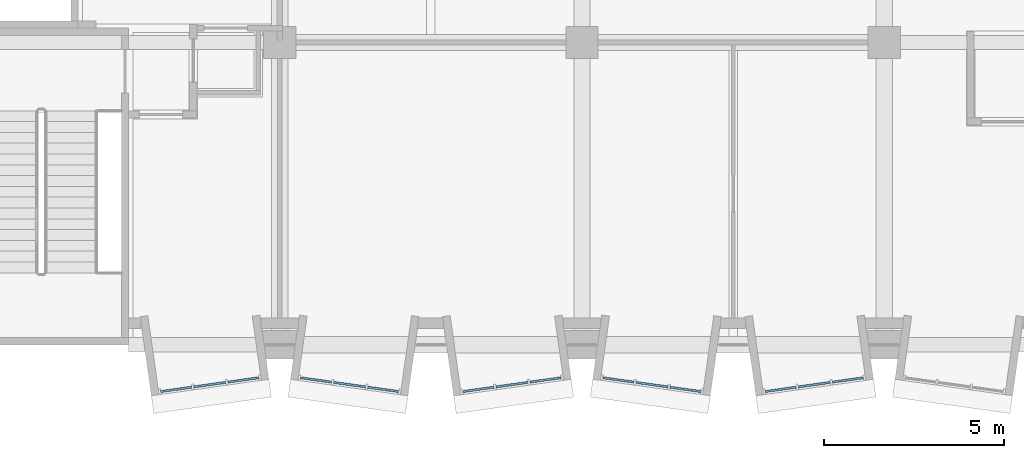
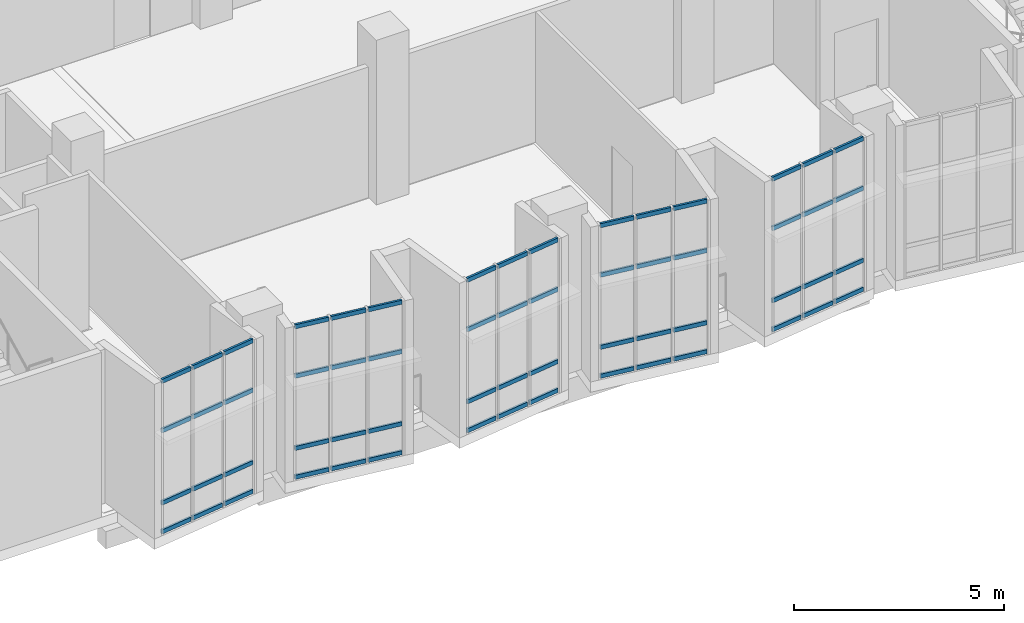
# One storey, part 15 of 91: 60 members, 5 elements without a shape of their own.
"""IFC4 building model written with IfcOpenShell, lengths in metres."""

import ifcopenshell
import ifcopenshell.guid

model = None  # the IFC model being written
_history = None  # IfcOwnerHistory: only IFC2X3 demands one
_inside = {}  # id of a spatial element -> (the spatial element, [elements in it])
_under = {}  # id of a project, library or spatial element -> (it, [spatial elements below it])
_declared = {}  # id of a project -> (the project, [libraries it declares])
_typed = {}  # id of a type object -> (the type object, [elements of that type])
_made_of = {}  # id of a material, layer set ... -> (it, [elements and type objects made of it])


def new_model(schema):
    """Start an empty IFC model of exactly this schema.

    Asked for "IFC4X3", IfcOpenShell would pick the latest addendum, in which some entities
    have other attributes; the version numbers below select the first issue.
    IFC2X3 requires an IfcOwnerHistory on every rooted entity: one is made here for all.
    """
    global model, _history
    if schema == "IFC4X3":
        model = ifcopenshell.file(schema_version=(4, 3, 0, 0))
    else:
        model = ifcopenshell.file(schema=schema)
    _inside.clear()
    _under.clear()
    _declared.clear()
    _typed.clear()
    _made_of.clear()
    _history = None
    if model.schema == "IFC2X3":
        org = make("IfcOrganization", Name="unknown")
        user = make(
            "IfcPersonAndOrganization",
            ThePerson=make("IfcPerson", FamilyName="unknown"),
            TheOrganization=org,
        )
        app = make(
            "IfcApplication",
            ApplicationDeveloper=org,
            Version="unknown",
            ApplicationFullName="unknown",
            ApplicationIdentifier="unknown",
        )
        _history = make(
            "IfcOwnerHistory",
            OwningUser=user,
            OwningApplication=app,
            ChangeAction="ADDED",
            CreationDate=0,
        )
    return model


def make(cls, **values):
    """One entity of the class cls with the attributes given. An attribute that is None is left unset."""
    return model.create_entity(
        cls, **{name: value for name, value in values.items() if value is not None}
    )


def rooted(cls, **values):
    """An entity with a GlobalId (a new one), such as an element, a storey or a relation."""
    return make(cls, GlobalId=ifcopenshell.guid.new(), OwnerHistory=_history, **values)


def si_unit(unit_type, name, prefix=None):
    """IfcSIUnit, for example si_unit("LENGTHUNIT", "METRE", prefix="MILLI")."""
    return make("IfcSIUnit", UnitType=unit_type, Prefix=prefix, Name=name)


def assignment(units):
    """IfcUnitAssignment: the units of a project."""
    return None if units is None else make("IfcUnitAssignment", Units=units)


def point(xyz):
    """IfcCartesianPoint."""
    return None if xyz is None else make("IfcCartesianPoint", Coordinates=xyz)


def direction(xyz):
    """IfcDirection."""
    return None if xyz is None else make("IfcDirection", DirectionRatios=xyz)


def frame(location, z_axis=None, x_axis=None):
    """IfcAxis2Placement3D, a coordinate frame: its origin and axes. An axis left out is left unset."""
    return make(
        "IfcAxis2Placement3D",
        Location=point(location),
        Axis=direction(z_axis),
        RefDirection=direction(x_axis),
    )


def frame_2d(location, x_axis=None):
    """IfcAxis2Placement2D, a coordinate frame in the plane: its origin and x axis."""
    return make(
        "IfcAxis2Placement2D", Location=point(location), RefDirection=direction(x_axis)
    )


def origin():
    """The frame at (0, 0, 0) with its axes left unset."""
    return frame((0.0, 0.0, 0.0))


def origin_2d():
    """The frame at (0, 0) in the plane with its x axis left unset."""
    return frame_2d((0.0, 0.0))


def place(relative_to, where):
    """IfcLocalPlacement: puts the frame where relative to a parent placement (None: the world)."""
    return make(
        "IfcLocalPlacement", PlacementRelTo=relative_to, RelativePlacement=where
    )


def context(
    kind, dimensions, precision=None, world=None, true_north=None, identifier=None
):
    """IfcGeometricRepresentationContext, for example the 3D "Model" context."""
    return make(
        "IfcGeometricRepresentationContext",
        ContextIdentifier=identifier,
        ContextType=kind,
        CoordinateSpaceDimension=dimensions,
        Precision=precision,
        WorldCoordinateSystem=world,
        TrueNorth=true_north,
    )


def subcontext(parent, identifier, kind, view, scale=None):
    """IfcGeometricRepresentationSubContext, for example "Body" below "Model"."""
    return make(
        "IfcGeometricRepresentationSubContext",
        ContextIdentifier=identifier,
        ContextType=kind,
        ParentContext=parent,
        TargetScale=scale,
        TargetView=view,
    )


def project(units=None, contexts=None):
    """IfcProject with its units and contexts."""
    return rooted(
        "IfcProject",
        Name="project",
        RepresentationContexts=contexts,
        UnitsInContext=assignment(units),
    )


def spatial(cls, under=None, at=None, **own):
    """A site, building, storey or space (cls), placed at a placement, below another one or the project."""
    s = rooted(cls, ObjectPlacement=at, **own)
    if under is not None:
        _under.setdefault(under.id(), (under, []))[1].append(s)
    return s


def profile(cls, at=None, kind="AREA", **sizes):
    """A parametric profile (cls). Its sizes go by their IFC names, for example OverallWidth=200.0."""
    return make(cls, ProfileType=kind, Position=at, **sizes)


def rectangle(**sizes):
    """IfcRectangleProfileDef."""
    return profile("IfcRectangleProfileDef", **sizes)


def extrude(swept, where, along, depth):
    """IfcExtrudedAreaSolid: the profile swept, set in the frame where, extruded along a direction by depth."""
    return make(
        "IfcExtrudedAreaSolid",
        SweptArea=swept,
        Position=where,
        ExtrudedDirection=direction(along),
        Depth=depth,
    )


def shape(context_of_items, identifier, shape_type, items):
    """IfcShapeRepresentation: the items that make up one representation, for example the "Body"."""
    return make(
        "IfcShapeRepresentation",
        ContextOfItems=context_of_items,
        RepresentationIdentifier=identifier,
        RepresentationType=shape_type,
        Items=items,
    )


def material(Name=None, Category=None):
    """IfcMaterial."""
    return make("IfcMaterial", Name=Name, Category=Category)


def layer(
    of_material, thickness, ventilated=None, Name=None, Category=None, Priority=None
):
    """IfcMaterialLayer: one layer of a wall or slab, of a material (None: an air gap)."""
    return make(
        "IfcMaterialLayer",
        Material=of_material,
        LayerThickness=thickness,
        IsVentilated=ventilated,
        Name=Name,
        Category=Category,
        Priority=Priority,
    )


def layer_set(layers, Name=None):
    """IfcMaterialLayerSet."""
    return make("IfcMaterialLayerSet", MaterialLayers=layers, LayerSetName=Name)


def material_profile(
    of_material, cross_section, Name=None, Category=None, Priority=None
):
    """IfcMaterialProfile: a cross section and its material."""
    return make(
        "IfcMaterialProfile",
        Name=Name,
        Material=of_material,
        Profile=cross_section,
        Priority=Priority,
        Category=Category,
    )


def profile_set(profiles, Name=None, composite=None):
    """IfcMaterialProfileSet."""
    return make(
        "IfcMaterialProfileSet",
        Name=Name,
        MaterialProfiles=profiles,
        CompositeProfile=composite,
    )


def made_of(thing, what):
    """Note that an element or type object is made of a material, layer set ...; save() writes the relation."""
    if what is not None:
        _made_of.setdefault(what.id(), (what, []))[1].append(thing)
    return thing


def type_object(cls, material=None, **own):
    """A type object (cls), such as IfcWallType, which elements share."""
    return made_of(rooted(cls, **own), material)


def element(
    cls,
    number,
    at=None,
    inside=None,
    cuts=None,
    type_object=None,
    material=None,
    context=None,
    identifier="Body",
    shape_type=None,
    held_by="IfcProductDefinitionShape",
    body=None,
    shapes=None,
    **own,
):
    """One element of the class cls, such as IfcWall. Its Tag is "e" and its number.

    at: its placement. inside: the storey or other place that contains it. cuts: it is an
    opening in that element (IfcRelVoidsElement). A single representation is given by context,
    identifier, shape_type and body (its items); several are given by shapes. held_by: the class
    of the entity that holds the representations. save() writes the other relations.
    """
    e = rooted(cls, Tag="e%d" % number, ObjectPlacement=at, **own)
    if body is not None:
        shapes = [shape(context, identifier, shape_type, body)]
    if shapes is not None:
        e.Representation = make(held_by, Representations=shapes)
    if inside is not None:
        _inside.setdefault(inside.id(), (inside, []))[1].append(e)
    if cuts is not None:
        rooted(
            "IfcRelVoidsElement", RelatingBuildingElement=cuts, RelatedOpeningElement=e
        )
    if type_object is not None:
        _typed.setdefault(type_object.id(), (type_object, []))[1].append(e)
    return made_of(e, material)


def aggregate(whole, parts):
    """IfcRelAggregates: a whole, such as a stair, and the parts it consists of."""
    return rooted("IfcRelAggregates", RelatingObject=whole, RelatedObjects=parts)


def save(model, path):
    """Write the relations noted so far, then the file.

    IfcRelAggregates (storeys below a building ...), IfcRelContainedInSpatialStructure (elements
    in a storey), IfcRelDefinesByType, IfcRelAssociatesMaterial and IfcRelDeclares: one each for
    every whole, place, type object, material and project.
    """
    for whole, parts in _under.values():
        aggregate(whole, parts)
    for where, things in _inside.values():
        rooted(
            "IfcRelContainedInSpatialStructure",
            RelatedElements=things,
            RelatingStructure=where,
        )
    for kind, things in _typed.values():
        rooted("IfcRelDefinesByType", RelatedObjects=things, RelatingType=kind)
    for what, things in _made_of.values():
        rooted("IfcRelAssociatesMaterial", RelatedObjects=things, RelatingMaterial=what)
    for by, libraries in _declared.values():
        rooted("IfcRelDeclares", RelatingContext=by, RelatedDefinitions=libraries)
    model.write(path)


model = new_model("IFC4")

# Units and contexts
model_context = context("Model", 3, precision=1e-05, world=origin(), true_north=direction((0.0, 1.0)))
body_context = subcontext(model_context, "Body", "Model", "MODEL_VIEW")
ifc_project = project(units=[si_unit("LENGTHUNIT", "METRE"), si_unit("AREAUNIT", "SQUARE_METRE"), si_unit("VOLUMEUNIT", "CUBIC_METRE"), si_unit("PLANEANGLEUNIT", "RADIAN"), si_unit("MASSUNIT", "GRAM", prefix="KILO")], contexts=[model_context])

# Site, building, storey
site_placement = place(None, origin())
site = spatial("IfcSite", under=ifc_project, at=site_placement, CompositionType="ELEMENT")
building_placement = place(site_placement, origin())
building = spatial("IfcBuilding", under=site, at=building_placement, Name="Kiln Court Media Centre", CompositionType="ELEMENT")
storey_placement = place(building_placement, frame((0.0, 0.0, 5.39990234375)))
storey = spatial("IfcBuildingStorey", under=building, at=storey_placement, Name="L01", CompositionType="ELEMENT", Elevation=5.39990234375)

# Curtain wall, members
ifc_material_1 = material(Name="Aluminium 6063-T6", Category="aluminium")
ifc_layer = layer(ifc_material_1, 0.1201171875)
ifc_layer_set = layer_set([ifc_layer], Name="Aluminium unitised bay curtain wall")
curtain_wall_type = type_object("IfcCurtainWallType", Name="Aluminium unitised bay curtain wall", PredefinedType="USERDEFINED", material=ifc_layer_set)
curtain_wall_1_placement = place(storey_placement, origin())
curtain_wall_1 = element("IfcCurtainWall", 1, at=curtain_wall_1_placement, inside=storey, type_object=curtain_wall_type, Name="BAY V6A-S-L01-02 front", ObjectType="UNITISED CURTAIN WALL", PredefinedType="USERDEFINED")
ifc_material_2 = material(Name="Aluminium 6063-T6", Category="aluminium")
ifc_material_profile = material_profile(ifc_material_2, rectangle(XDim=0.06005859375, YDim=0.1201171875, at=origin_2d()), Name="Aluminium transom 60x120")
ifc_profile_set = profile_set([ifc_material_profile], Name="Aluminium 6063-T6")
member_type = type_object("IfcMemberType", Name="Aluminium transom 60x120", PredefinedType="USERDEFINED", material=ifc_profile_set)
member_1_placement = place(storey_placement, frame((5.09423828125, -1.300537109375, 0.06005859375), z_axis=(0.990268108888, 0.139172815303, 0.0), x_axis=(-0.139172815303, 0.990268108888, 0.0)))
member_1 = element("IfcMember", 2, at=member_1_placement, type_object=member_type, Name="CW1-10 transom 1.1", ObjectType="TRANSOM", PredefinedType="USERDEFINED", context=body_context, shape_type="SweptSolid", body=[
    extrude(rectangle(XDim=0.06005859375, YDim=0.1201171875, at=origin_2d()), origin(), (0.0, 0.0, 1.0), 0.86669921875),
])
member_2_placement = place(storey_placement, frame((5.09423828125, -1.300537109375, 0.900146484375), z_axis=(0.990268108888, 0.139172815303, 0.0), x_axis=(-0.139172815303, 0.990268108888, 0.0)))
member_2 = element("IfcMember", 3, at=member_2_placement, type_object=member_type, Name="CW1-10 transom 1.2", ObjectType="TRANSOM", PredefinedType="USERDEFINED", context=body_context, shape_type="SweptSolid", body=[
    extrude(rectangle(XDim=0.06005859375, YDim=0.1201171875, at=origin_2d()), origin(), (0.0, 0.0, 1.0), 0.86669921875),
])
member_3_placement = place(storey_placement, frame((5.09423828125, -1.300537109375, 3.0), z_axis=(0.990268108888, 0.139172815303, 0.0), x_axis=(-0.139172815303, 0.990268108888, 0.0)))
member_3 = element("IfcMember", 4, at=member_3_placement, type_object=member_type, Name="CW1-10 transom 1.3", ObjectType="TRANSOM", PredefinedType="USERDEFINED", context=body_context, shape_type="SweptSolid", body=[
    extrude(rectangle(XDim=0.06005859375, YDim=0.1201171875, at=origin_2d()), origin(), (0.0, 0.0, 1.0), 0.86669921875),
])
member_4_placement = place(storey_placement, frame((5.09423828125, -1.300537109375, 4.440185546875), z_axis=(0.990268108888, 0.139172815303, 0.0), x_axis=(-0.139172815303, 0.990268108888, 0.0)))
member_4 = element("IfcMember", 5, at=member_4_placement, type_object=member_type, Name="CW1-10 transom 1.4", ObjectType="TRANSOM", PredefinedType="USERDEFINED", context=body_context, shape_type="SweptSolid", body=[
    extrude(rectangle(XDim=0.06005859375, YDim=0.1201171875, at=origin_2d()), origin(), (0.0, 0.0, 1.0), 0.86669921875),
])
member_5_placement = place(storey_placement, frame((6.011962890625, -1.17138671875, 0.06005859375), z_axis=(0.990273584723, 0.13913384707, 0.0), x_axis=(-0.13913384707, 0.990273584723, 0.0)))
member_5 = element("IfcMember", 6, at=member_5_placement, type_object=member_type, Name="CW1-10 transom 2.1", ObjectType="TRANSOM", PredefinedType="USERDEFINED", context=body_context, shape_type="SweptSolid", body=[
    extrude(rectangle(XDim=0.06005859375, YDim=0.1201171875, at=origin_2d()), origin(), (0.0, 0.0, 1.0), 0.896728515625),
])
member_6_placement = place(storey_placement, frame((6.011962890625, -1.17138671875, 0.900146484375), z_axis=(0.990273584723, 0.13913384707, 0.0), x_axis=(-0.13913384707, 0.990273584723, 0.0)))
member_6 = element("IfcMember", 7, at=member_6_placement, type_object=member_type, Name="CW1-10 transom 2.2", ObjectType="TRANSOM", PredefinedType="USERDEFINED", context=body_context, shape_type="SweptSolid", body=[
    extrude(rectangle(XDim=0.06005859375, YDim=0.1201171875, at=origin_2d()), origin(), (0.0, 0.0, 1.0), 0.896728515625),
])
member_7_placement = place(storey_placement, frame((6.011962890625, -1.17138671875, 3.0), z_axis=(0.990273584723, 0.13913384707, 0.0), x_axis=(-0.13913384707, 0.990273584723, 0.0)))
member_7 = element("IfcMember", 8, at=member_7_placement, type_object=member_type, Name="CW1-10 transom 2.3", ObjectType="TRANSOM", PredefinedType="USERDEFINED", context=body_context, shape_type="SweptSolid", body=[
    extrude(rectangle(XDim=0.06005859375, YDim=0.1201171875, at=origin_2d()), origin(), (0.0, 0.0, 1.0), 0.896728515625),
])
member_8_placement = place(storey_placement, frame((6.011962890625, -1.17138671875, 4.440185546875), z_axis=(0.990273584723, 0.13913384707, 0.0), x_axis=(-0.13913384707, 0.990273584723, 0.0)))
member_8 = element("IfcMember", 9, at=member_8_placement, type_object=member_type, Name="CW1-10 transom 2.4", ObjectType="TRANSOM", PredefinedType="USERDEFINED", context=body_context, shape_type="SweptSolid", body=[
    extrude(rectangle(XDim=0.06005859375, YDim=0.1201171875, at=origin_2d()), origin(), (0.0, 0.0, 1.0), 0.896728515625),
])
member_9_placement = place(storey_placement, frame((6.959228515625, -1.038330078125, 0.06005859375), z_axis=(0.990268108888, 0.139172815303, 0.0), x_axis=(-0.139172815303, 0.990268108888, 0.0)))
member_9 = element("IfcMember", 10, at=member_9_placement, type_object=member_type, Name="CW1-10 transom 3.1", ObjectType="TRANSOM", PredefinedType="USERDEFINED", context=body_context, shape_type="SweptSolid", body=[
    extrude(rectangle(XDim=0.06005859375, YDim=0.1201171875, at=origin_2d()), origin(), (0.0, 0.0, 1.0), 0.86669921875),
])
member_10_placement = place(storey_placement, frame((6.959228515625, -1.038330078125, 0.900146484375), z_axis=(0.990268108888, 0.139172815303, 0.0), x_axis=(-0.139172815303, 0.990268108888, 0.0)))
member_10 = element("IfcMember", 11, at=member_10_placement, type_object=member_type, Name="CW1-10 transom 3.2", ObjectType="TRANSOM", PredefinedType="USERDEFINED", context=body_context, shape_type="SweptSolid", body=[
    extrude(rectangle(XDim=0.06005859375, YDim=0.1201171875, at=origin_2d()), origin(), (0.0, 0.0, 1.0), 0.86669921875),
])
member_11_placement = place(storey_placement, frame((6.959228515625, -1.038330078125, 3.0), z_axis=(0.990268108888, 0.139172815303, 0.0), x_axis=(-0.139172815303, 0.990268108888, 0.0)))
member_11 = element("IfcMember", 12, at=member_11_placement, type_object=member_type, Name="CW1-10 transom 3.3", ObjectType="TRANSOM", PredefinedType="USERDEFINED", context=body_context, shape_type="SweptSolid", body=[
    extrude(rectangle(XDim=0.06005859375, YDim=0.1201171875, at=origin_2d()), origin(), (0.0, 0.0, 1.0), 0.86669921875),
])
member_12_placement = place(storey_placement, frame((6.959228515625, -1.038330078125, 4.440185546875), z_axis=(0.990268108888, 0.139172815303, 0.0), x_axis=(-0.139172815303, 0.990268108888, 0.0)))
member_12 = element("IfcMember", 13, at=member_12_placement, type_object=member_type, Name="CW1-10 transom 3.4", ObjectType="TRANSOM", PredefinedType="USERDEFINED", context=body_context, shape_type="SweptSolid", body=[
    extrude(rectangle(XDim=0.06005859375, YDim=0.1201171875, at=origin_2d()), origin(), (0.0, 0.0, 1.0), 0.86669921875),
])
aggregate(curtain_wall_1, [member_1, member_2, member_3, member_4, member_5, member_6, member_7, member_8, member_9, member_10, member_11, member_12])

curtain_wall_2_placement = place(storey_placement, origin())
curtain_wall_2 = element("IfcCurtainWall", 14, at=curtain_wall_2_placement, inside=storey, type_object=curtain_wall_type, Name="BAY V6A-S-L01-03 front", ObjectType="UNITISED CURTAIN WALL", PredefinedType="USERDEFINED")
member_13_placement = place(storey_placement, frame((8.982421875, -0.917724609375, 0.06005859375), z_axis=(0.990273563383, -0.139133998951, 0.0), x_axis=(0.139133998951, 0.990273563383, 0.0)))
member_13 = element("IfcMember", 15, at=member_13_placement, type_object=member_type, Name="CW1-11 transom 1.1", ObjectType="TRANSOM", PredefinedType="USERDEFINED", context=body_context, shape_type="SweptSolid", body=[
    extrude(rectangle(XDim=0.06005859375, YDim=0.1201171875, at=origin_2d()), origin(), (0.0, 0.0, 1.0), 0.866943359375),
])
member_14_placement = place(storey_placement, frame((8.982421875, -0.917724609375, 0.900146484375), z_axis=(0.990273563383, -0.139133998951, 0.0), x_axis=(0.139133998951, 0.990273563383, 0.0)))
member_14 = element("IfcMember", 16, at=member_14_placement, type_object=member_type, Name="CW1-11 transom 1.2", ObjectType="TRANSOM", PredefinedType="USERDEFINED", context=body_context, shape_type="SweptSolid", body=[
    extrude(rectangle(XDim=0.06005859375, YDim=0.1201171875, at=origin_2d()), origin(), (0.0, 0.0, 1.0), 0.866943359375),
])
member_15_placement = place(storey_placement, frame((8.982421875, -0.917724609375, 3.0), z_axis=(0.990273563383, -0.139133998951, 0.0), x_axis=(0.139133998951, 0.990273563383, 0.0)))
member_15 = element("IfcMember", 17, at=member_15_placement, type_object=member_type, Name="CW1-11 transom 1.3", ObjectType="TRANSOM", PredefinedType="USERDEFINED", context=body_context, shape_type="SweptSolid", body=[
    extrude(rectangle(XDim=0.06005859375, YDim=0.1201171875, at=origin_2d()), origin(), (0.0, 0.0, 1.0), 0.866943359375),
])
member_16_placement = place(storey_placement, frame((8.982421875, -0.917724609375, 4.440185546875), z_axis=(0.990273563383, -0.139133998951, 0.0), x_axis=(0.139133998951, 0.990273563383, 0.0)))
member_16 = element("IfcMember", 18, at=member_16_placement, type_object=member_type, Name="CW1-11 transom 1.4", ObjectType="TRANSOM", PredefinedType="USERDEFINED", context=body_context, shape_type="SweptSolid", body=[
    extrude(rectangle(XDim=0.06005859375, YDim=0.1201171875, at=origin_2d()), origin(), (0.0, 0.0, 1.0), 0.866943359375),
])
member_17_placement = place(storey_placement, frame((9.900146484375, -1.046630859375, 0.06005859375), z_axis=(0.990273584723, -0.13913384707, 0.0), x_axis=(0.13913384707, 0.990273584723, 0.0)))
member_17 = element("IfcMember", 19, at=member_17_placement, type_object=member_type, Name="CW1-11 transom 2.1", ObjectType="TRANSOM", PredefinedType="USERDEFINED", context=body_context, shape_type="SweptSolid", body=[
    extrude(rectangle(XDim=0.06005859375, YDim=0.1201171875, at=origin_2d()), origin(), (0.0, 0.0, 1.0), 0.896728515625),
])
member_18_placement = place(storey_placement, frame((9.900146484375, -1.046630859375, 0.900146484375), z_axis=(0.990273584723, -0.13913384707, 0.0), x_axis=(0.13913384707, 0.990273584723, 0.0)))
member_18 = element("IfcMember", 20, at=member_18_placement, type_object=member_type, Name="CW1-11 transom 2.2", ObjectType="TRANSOM", PredefinedType="USERDEFINED", context=body_context, shape_type="SweptSolid", body=[
    extrude(rectangle(XDim=0.06005859375, YDim=0.1201171875, at=origin_2d()), origin(), (0.0, 0.0, 1.0), 0.896728515625),
])
member_19_placement = place(storey_placement, frame((9.900146484375, -1.046630859375, 3.0), z_axis=(0.990273584723, -0.13913384707, 0.0), x_axis=(0.13913384707, 0.990273584723, 0.0)))
member_19 = element("IfcMember", 21, at=member_19_placement, type_object=member_type, Name="CW1-11 transom 2.3", ObjectType="TRANSOM", PredefinedType="USERDEFINED", context=body_context, shape_type="SweptSolid", body=[
    extrude(rectangle(XDim=0.06005859375, YDim=0.1201171875, at=origin_2d()), origin(), (0.0, 0.0, 1.0), 0.896728515625),
])
member_20_placement = place(storey_placement, frame((9.900146484375, -1.046630859375, 4.440185546875), z_axis=(0.990273584723, -0.13913384707, 0.0), x_axis=(0.13913384707, 0.990273584723, 0.0)))
member_20 = element("IfcMember", 22, at=member_20_placement, type_object=member_type, Name="CW1-11 transom 2.4", ObjectType="TRANSOM", PredefinedType="USERDEFINED", context=body_context, shape_type="SweptSolid", body=[
    extrude(rectangle(XDim=0.06005859375, YDim=0.1201171875, at=origin_2d()), origin(), (0.0, 0.0, 1.0), 0.896728515625),
])
member_21_placement = place(storey_placement, frame((10.84765625, -1.179931640625, 0.06005859375), z_axis=(0.990268108888, -0.139172815303, 0.0), x_axis=(0.139172815303, 0.990268108888, 0.0)))
member_21 = element("IfcMember", 23, at=member_21_placement, type_object=member_type, Name="CW1-11 transom 3.1", ObjectType="TRANSOM", PredefinedType="USERDEFINED", context=body_context, shape_type="SweptSolid", body=[
    extrude(rectangle(XDim=0.06005859375, YDim=0.1201171875, at=origin_2d()), origin(), (0.0, 0.0, 1.0), 0.86669921875),
])
member_22_placement = place(storey_placement, frame((10.84765625, -1.179931640625, 0.900146484375), z_axis=(0.990268108888, -0.139172815303, 0.0), x_axis=(0.139172815303, 0.990268108888, 0.0)))
member_22 = element("IfcMember", 24, at=member_22_placement, type_object=member_type, Name="CW1-11 transom 3.2", ObjectType="TRANSOM", PredefinedType="USERDEFINED", context=body_context, shape_type="SweptSolid", body=[
    extrude(rectangle(XDim=0.06005859375, YDim=0.1201171875, at=origin_2d()), origin(), (0.0, 0.0, 1.0), 0.86669921875),
])
member_23_placement = place(storey_placement, frame((10.84765625, -1.179931640625, 3.0), z_axis=(0.990268108888, -0.139172815303, 0.0), x_axis=(0.139172815303, 0.990268108888, 0.0)))
member_23 = element("IfcMember", 25, at=member_23_placement, type_object=member_type, Name="CW1-11 transom 3.3", ObjectType="TRANSOM", PredefinedType="USERDEFINED", context=body_context, shape_type="SweptSolid", body=[
    extrude(rectangle(XDim=0.06005859375, YDim=0.1201171875, at=origin_2d()), origin(), (0.0, 0.0, 1.0), 0.86669921875),
])
member_24_placement = place(storey_placement, frame((10.84765625, -1.179931640625, 4.440185546875), z_axis=(0.990268108888, -0.139172815303, 0.0), x_axis=(0.139172815303, 0.990268108888, 0.0)))
member_24 = element("IfcMember", 26, at=member_24_placement, type_object=member_type, Name="CW1-11 transom 3.4", ObjectType="TRANSOM", PredefinedType="USERDEFINED", context=body_context, shape_type="SweptSolid", body=[
    extrude(rectangle(XDim=0.06005859375, YDim=0.1201171875, at=origin_2d()), origin(), (0.0, 0.0, 1.0), 0.86669921875),
])
aggregate(curtain_wall_2, [member_13, member_14, member_15, member_16, member_17, member_18, member_19, member_20, member_21, member_22, member_23, member_24])

curtain_wall_3_placement = place(storey_placement, origin())
curtain_wall_3 = element("IfcCurtainWall", 27, at=curtain_wall_3_placement, inside=storey, type_object=curtain_wall_type, Name="BAY V6A-S-L01-04 front", ObjectType="UNITISED CURTAIN WALL", PredefinedType="USERDEFINED")
member_25_placement = place(storey_placement, frame((13.494140625, -1.300537109375, 0.06005859375), z_axis=(0.990273563383, 0.139133998951, 0.0), x_axis=(-0.139133998951, 0.990273563383, 0.0)))
member_25 = element("IfcMember", 28, at=member_25_placement, type_object=member_type, Name="CW1-12 transom 1.1", ObjectType="TRANSOM", PredefinedType="USERDEFINED", context=body_context, shape_type="SweptSolid", body=[
    extrude(rectangle(XDim=0.06005859375, YDim=0.1201171875, at=origin_2d()), origin(), (0.0, 0.0, 1.0), 0.866943359375),
])
member_26_placement = place(storey_placement, frame((13.494140625, -1.300537109375, 0.900146484375), z_axis=(0.990273563383, 0.139133998951, 0.0), x_axis=(-0.139133998951, 0.990273563383, 0.0)))
member_26 = element("IfcMember", 29, at=member_26_placement, type_object=member_type, Name="CW1-12 transom 1.2", ObjectType="TRANSOM", PredefinedType="USERDEFINED", context=body_context, shape_type="SweptSolid", body=[
    extrude(rectangle(XDim=0.06005859375, YDim=0.1201171875, at=origin_2d()), origin(), (0.0, 0.0, 1.0), 0.866943359375),
])
member_27_placement = place(storey_placement, frame((13.494140625, -1.300537109375, 3.0), z_axis=(0.990273563383, 0.139133998951, 0.0), x_axis=(-0.139133998951, 0.990273563383, 0.0)))
member_27 = element("IfcMember", 30, at=member_27_placement, type_object=member_type, Name="CW1-12 transom 1.3", ObjectType="TRANSOM", PredefinedType="USERDEFINED", context=body_context, shape_type="SweptSolid", body=[
    extrude(rectangle(XDim=0.06005859375, YDim=0.1201171875, at=origin_2d()), origin(), (0.0, 0.0, 1.0), 0.866943359375),
])
member_28_placement = place(storey_placement, frame((13.494140625, -1.300537109375, 4.440185546875), z_axis=(0.990273563383, 0.139133998951, 0.0), x_axis=(-0.139133998951, 0.990273563383, 0.0)))
member_28 = element("IfcMember", 31, at=member_28_placement, type_object=member_type, Name="CW1-12 transom 1.4", ObjectType="TRANSOM", PredefinedType="USERDEFINED", context=body_context, shape_type="SweptSolid", body=[
    extrude(rectangle(XDim=0.06005859375, YDim=0.1201171875, at=origin_2d()), origin(), (0.0, 0.0, 1.0), 0.866943359375),
])
member_29_placement = place(storey_placement, frame((14.411865234375, -1.17138671875, 0.06005859375), z_axis=(0.990273584723, 0.13913384707, 0.0), x_axis=(-0.13913384707, 0.990273584723, 0.0)))
member_29 = element("IfcMember", 32, at=member_29_placement, type_object=member_type, Name="CW1-12 transom 2.1", ObjectType="TRANSOM", PredefinedType="USERDEFINED", context=body_context, shape_type="SweptSolid", body=[
    extrude(rectangle(XDim=0.06005859375, YDim=0.1201171875, at=origin_2d()), origin(), (0.0, 0.0, 1.0), 0.896728515625),
])
member_30_placement = place(storey_placement, frame((14.411865234375, -1.17138671875, 0.900146484375), z_axis=(0.990273584723, 0.13913384707, 0.0), x_axis=(-0.13913384707, 0.990273584723, 0.0)))
member_30 = element("IfcMember", 33, at=member_30_placement, type_object=member_type, Name="CW1-12 transom 2.2", ObjectType="TRANSOM", PredefinedType="USERDEFINED", context=body_context, shape_type="SweptSolid", body=[
    extrude(rectangle(XDim=0.06005859375, YDim=0.1201171875, at=origin_2d()), origin(), (0.0, 0.0, 1.0), 0.896728515625),
])
member_31_placement = place(storey_placement, frame((14.411865234375, -1.17138671875, 3.0), z_axis=(0.990273584723, 0.13913384707, 0.0), x_axis=(-0.13913384707, 0.990273584723, 0.0)))
member_31 = element("IfcMember", 34, at=member_31_placement, type_object=member_type, Name="CW1-12 transom 2.3", ObjectType="TRANSOM", PredefinedType="USERDEFINED", context=body_context, shape_type="SweptSolid", body=[
    extrude(rectangle(XDim=0.06005859375, YDim=0.1201171875, at=origin_2d()), origin(), (0.0, 0.0, 1.0), 0.896728515625),
])
member_32_placement = place(storey_placement, frame((14.411865234375, -1.17138671875, 4.440185546875), z_axis=(0.990273584723, 0.13913384707, 0.0), x_axis=(-0.13913384707, 0.990273584723, 0.0)))
member_32 = element("IfcMember", 35, at=member_32_placement, type_object=member_type, Name="CW1-12 transom 2.4", ObjectType="TRANSOM", PredefinedType="USERDEFINED", context=body_context, shape_type="SweptSolid", body=[
    extrude(rectangle(XDim=0.06005859375, YDim=0.1201171875, at=origin_2d()), origin(), (0.0, 0.0, 1.0), 0.896728515625),
])
member_33_placement = place(storey_placement, frame((15.359130859375, -1.038330078125, 0.06005859375), z_axis=(0.990273563383, 0.139133998951, 0.0), x_axis=(-0.139133998951, 0.990273563383, 0.0)))
member_33 = element("IfcMember", 36, at=member_33_placement, type_object=member_type, Name="CW1-12 transom 3.1", ObjectType="TRANSOM", PredefinedType="USERDEFINED", context=body_context, shape_type="SweptSolid", body=[
    extrude(rectangle(XDim=0.06005859375, YDim=0.1201171875, at=origin_2d()), origin(), (0.0, 0.0, 1.0), 0.866943359375),
])
member_34_placement = place(storey_placement, frame((15.359130859375, -1.038330078125, 0.900146484375), z_axis=(0.990273563383, 0.139133998951, 0.0), x_axis=(-0.139133998951, 0.990273563383, 0.0)))
member_34 = element("IfcMember", 37, at=member_34_placement, type_object=member_type, Name="CW1-12 transom 3.2", ObjectType="TRANSOM", PredefinedType="USERDEFINED", context=body_context, shape_type="SweptSolid", body=[
    extrude(rectangle(XDim=0.06005859375, YDim=0.1201171875, at=origin_2d()), origin(), (0.0, 0.0, 1.0), 0.866943359375),
])
member_35_placement = place(storey_placement, frame((15.359130859375, -1.038330078125, 3.0), z_axis=(0.990273563383, 0.139133998951, 0.0), x_axis=(-0.139133998951, 0.990273563383, 0.0)))
member_35 = element("IfcMember", 38, at=member_35_placement, type_object=member_type, Name="CW1-12 transom 3.3", ObjectType="TRANSOM", PredefinedType="USERDEFINED", context=body_context, shape_type="SweptSolid", body=[
    extrude(rectangle(XDim=0.06005859375, YDim=0.1201171875, at=origin_2d()), origin(), (0.0, 0.0, 1.0), 0.866943359375),
])
member_36_placement = place(storey_placement, frame((15.359130859375, -1.038330078125, 4.440185546875), z_axis=(0.990273563383, 0.139133998951, 0.0), x_axis=(-0.139133998951, 0.990273563383, 0.0)))
member_36 = element("IfcMember", 39, at=member_36_placement, type_object=member_type, Name="CW1-12 transom 3.4", ObjectType="TRANSOM", PredefinedType="USERDEFINED", context=body_context, shape_type="SweptSolid", body=[
    extrude(rectangle(XDim=0.06005859375, YDim=0.1201171875, at=origin_2d()), origin(), (0.0, 0.0, 1.0), 0.866943359375),
])
aggregate(curtain_wall_3, [member_25, member_26, member_27, member_28, member_29, member_30, member_31, member_32, member_33, member_34, member_35, member_36])

curtain_wall_4_placement = place(storey_placement, origin())
curtain_wall_4 = element("IfcCurtainWall", 40, at=curtain_wall_4_placement, inside=storey, type_object=curtain_wall_type, Name="BAY V6A-S-L01-05 front", ObjectType="UNITISED CURTAIN WALL", PredefinedType="USERDEFINED")
member_37_placement = place(storey_placement, frame((17.382568359375, -0.917724609375, 0.06005859375), z_axis=(0.990268108888, -0.139172815303, 0.0), x_axis=(0.139172815303, 0.990268108888, 0.0)))
member_37 = element("IfcMember", 41, at=member_37_placement, type_object=member_type, Name="CW1-13 transom 1.1", ObjectType="TRANSOM", PredefinedType="USERDEFINED", context=body_context, shape_type="SweptSolid", body=[
    extrude(rectangle(XDim=0.06005859375, YDim=0.1201171875, at=origin_2d()), origin(), (0.0, 0.0, 1.0), 0.86669921875),
])
member_38_placement = place(storey_placement, frame((17.382568359375, -0.917724609375, 0.900146484375), z_axis=(0.990268108888, -0.139172815303, 0.0), x_axis=(0.139172815303, 0.990268108888, 0.0)))
member_38 = element("IfcMember", 42, at=member_38_placement, type_object=member_type, Name="CW1-13 transom 1.2", ObjectType="TRANSOM", PredefinedType="USERDEFINED", context=body_context, shape_type="SweptSolid", body=[
    extrude(rectangle(XDim=0.06005859375, YDim=0.1201171875, at=origin_2d()), origin(), (0.0, 0.0, 1.0), 0.86669921875),
])
member_39_placement = place(storey_placement, frame((17.382568359375, -0.917724609375, 3.0), z_axis=(0.990268108888, -0.139172815303, 0.0), x_axis=(0.139172815303, 0.990268108888, 0.0)))
member_39 = element("IfcMember", 43, at=member_39_placement, type_object=member_type, Name="CW1-13 transom 1.3", ObjectType="TRANSOM", PredefinedType="USERDEFINED", context=body_context, shape_type="SweptSolid", body=[
    extrude(rectangle(XDim=0.06005859375, YDim=0.1201171875, at=origin_2d()), origin(), (0.0, 0.0, 1.0), 0.86669921875),
])
member_40_placement = place(storey_placement, frame((17.382568359375, -0.917724609375, 4.440185546875), z_axis=(0.990268108888, -0.139172815303, 0.0), x_axis=(0.139172815303, 0.990268108888, 0.0)))
member_40 = element("IfcMember", 44, at=member_40_placement, type_object=member_type, Name="CW1-13 transom 1.4", ObjectType="TRANSOM", PredefinedType="USERDEFINED", context=body_context, shape_type="SweptSolid", body=[
    extrude(rectangle(XDim=0.06005859375, YDim=0.1201171875, at=origin_2d()), origin(), (0.0, 0.0, 1.0), 0.86669921875),
])
member_41_placement = place(storey_placement, frame((18.30029296875, -1.046630859375, 0.06005859375), z_axis=(0.990273584723, -0.13913384707, 0.0), x_axis=(0.13913384707, 0.990273584723, 0.0)))
member_41 = element("IfcMember", 45, at=member_41_placement, type_object=member_type, Name="CW1-13 transom 2.1", ObjectType="TRANSOM", PredefinedType="USERDEFINED", context=body_context, shape_type="SweptSolid", body=[
    extrude(rectangle(XDim=0.06005859375, YDim=0.1201171875, at=origin_2d()), origin(), (0.0, 0.0, 1.0), 0.896728515625),
])
member_42_placement = place(storey_placement, frame((18.30029296875, -1.046630859375, 0.900146484375), z_axis=(0.990273584723, -0.13913384707, 0.0), x_axis=(0.13913384707, 0.990273584723, 0.0)))
member_42 = element("IfcMember", 46, at=member_42_placement, type_object=member_type, Name="CW1-13 transom 2.2", ObjectType="TRANSOM", PredefinedType="USERDEFINED", context=body_context, shape_type="SweptSolid", body=[
    extrude(rectangle(XDim=0.06005859375, YDim=0.1201171875, at=origin_2d()), origin(), (0.0, 0.0, 1.0), 0.896728515625),
])
member_43_placement = place(storey_placement, frame((18.30029296875, -1.046630859375, 3.0), z_axis=(0.990273584723, -0.13913384707, 0.0), x_axis=(0.13913384707, 0.990273584723, 0.0)))
member_43 = element("IfcMember", 47, at=member_43_placement, type_object=member_type, Name="CW1-13 transom 2.3", ObjectType="TRANSOM", PredefinedType="USERDEFINED", context=body_context, shape_type="SweptSolid", body=[
    extrude(rectangle(XDim=0.06005859375, YDim=0.1201171875, at=origin_2d()), origin(), (0.0, 0.0, 1.0), 0.896728515625),
])
member_44_placement = place(storey_placement, frame((18.30029296875, -1.046630859375, 4.440185546875), z_axis=(0.990273584723, -0.13913384707, 0.0), x_axis=(0.13913384707, 0.990273584723, 0.0)))
member_44 = element("IfcMember", 48, at=member_44_placement, type_object=member_type, Name="CW1-13 transom 2.4", ObjectType="TRANSOM", PredefinedType="USERDEFINED", context=body_context, shape_type="SweptSolid", body=[
    extrude(rectangle(XDim=0.06005859375, YDim=0.1201171875, at=origin_2d()), origin(), (0.0, 0.0, 1.0), 0.896728515625),
])
member_45_placement = place(storey_placement, frame((19.24755859375, -1.179931640625, 0.06005859375), z_axis=(0.990268108888, -0.139172815303, 0.0), x_axis=(0.139172815303, 0.990268108888, 0.0)))
member_45 = element("IfcMember", 49, at=member_45_placement, type_object=member_type, Name="CW1-13 transom 3.1", ObjectType="TRANSOM", PredefinedType="USERDEFINED", context=body_context, shape_type="SweptSolid", body=[
    extrude(rectangle(XDim=0.06005859375, YDim=0.1201171875, at=origin_2d()), origin(), (0.0, 0.0, 1.0), 0.86669921875),
])
member_46_placement = place(storey_placement, frame((19.24755859375, -1.179931640625, 0.900146484375), z_axis=(0.990268108888, -0.139172815303, 0.0), x_axis=(0.139172815303, 0.990268108888, 0.0)))
member_46 = element("IfcMember", 50, at=member_46_placement, type_object=member_type, Name="CW1-13 transom 3.2", ObjectType="TRANSOM", PredefinedType="USERDEFINED", context=body_context, shape_type="SweptSolid", body=[
    extrude(rectangle(XDim=0.06005859375, YDim=0.1201171875, at=origin_2d()), origin(), (0.0, 0.0, 1.0), 0.86669921875),
])
member_47_placement = place(storey_placement, frame((19.24755859375, -1.179931640625, 3.0), z_axis=(0.990268108888, -0.139172815303, 0.0), x_axis=(0.139172815303, 0.990268108888, 0.0)))
member_47 = element("IfcMember", 51, at=member_47_placement, type_object=member_type, Name="CW1-13 transom 3.3", ObjectType="TRANSOM", PredefinedType="USERDEFINED", context=body_context, shape_type="SweptSolid", body=[
    extrude(rectangle(XDim=0.06005859375, YDim=0.1201171875, at=origin_2d()), origin(), (0.0, 0.0, 1.0), 0.86669921875),
])
member_48_placement = place(storey_placement, frame((19.24755859375, -1.179931640625, 4.440185546875), z_axis=(0.990268108888, -0.139172815303, 0.0), x_axis=(0.139172815303, 0.990268108888, 0.0)))
member_48 = element("IfcMember", 52, at=member_48_placement, type_object=member_type, Name="CW1-13 transom 3.4", ObjectType="TRANSOM", PredefinedType="USERDEFINED", context=body_context, shape_type="SweptSolid", body=[
    extrude(rectangle(XDim=0.06005859375, YDim=0.1201171875, at=origin_2d()), origin(), (0.0, 0.0, 1.0), 0.86669921875),
])
aggregate(curtain_wall_4, [member_37, member_38, member_39, member_40, member_41, member_42, member_43, member_44, member_45, member_46, member_47, member_48])

curtain_wall_5_placement = place(storey_placement, origin())
curtain_wall_5 = element("IfcCurtainWall", 53, at=curtain_wall_5_placement, inside=storey, type_object=curtain_wall_type, Name="BAY V6A-S-L01-06 front", ObjectType="UNITISED CURTAIN WALL", PredefinedType="USERDEFINED")
member_49_placement = place(storey_placement, frame((21.894287109375, -1.300537109375, 0.06005859375), z_axis=(0.990268108888, 0.139172815303, 0.0), x_axis=(-0.139172815303, 0.990268108888, 0.0)))
member_49 = element("IfcMember", 54, at=member_49_placement, type_object=member_type, Name="CW1-14 transom 1.1", ObjectType="TRANSOM", PredefinedType="USERDEFINED", context=body_context, shape_type="SweptSolid", body=[
    extrude(rectangle(XDim=0.06005859375, YDim=0.1201171875, at=origin_2d()), origin(), (0.0, 0.0, 1.0), 0.86669921875),
])
member_50_placement = place(storey_placement, frame((21.894287109375, -1.300537109375, 0.900146484375), z_axis=(0.990268108888, 0.139172815303, 0.0), x_axis=(-0.139172815303, 0.990268108888, 0.0)))
member_50 = element("IfcMember", 55, at=member_50_placement, type_object=member_type, Name="CW1-14 transom 1.2", ObjectType="TRANSOM", PredefinedType="USERDEFINED", context=body_context, shape_type="SweptSolid", body=[
    extrude(rectangle(XDim=0.06005859375, YDim=0.1201171875, at=origin_2d()), origin(), (0.0, 0.0, 1.0), 0.86669921875),
])
member_51_placement = place(storey_placement, frame((21.894287109375, -1.300537109375, 3.0), z_axis=(0.990268108888, 0.139172815303, 0.0), x_axis=(-0.139172815303, 0.990268108888, 0.0)))
member_51 = element("IfcMember", 56, at=member_51_placement, type_object=member_type, Name="CW1-14 transom 1.3", ObjectType="TRANSOM", PredefinedType="USERDEFINED", context=body_context, shape_type="SweptSolid", body=[
    extrude(rectangle(XDim=0.06005859375, YDim=0.1201171875, at=origin_2d()), origin(), (0.0, 0.0, 1.0), 0.86669921875),
])
member_52_placement = place(storey_placement, frame((21.894287109375, -1.300537109375, 4.440185546875), z_axis=(0.990268108888, 0.139172815303, 0.0), x_axis=(-0.139172815303, 0.990268108888, 0.0)))
member_52 = element("IfcMember", 57, at=member_52_placement, type_object=member_type, Name="CW1-14 transom 1.4", ObjectType="TRANSOM", PredefinedType="USERDEFINED", context=body_context, shape_type="SweptSolid", body=[
    extrude(rectangle(XDim=0.06005859375, YDim=0.1201171875, at=origin_2d()), origin(), (0.0, 0.0, 1.0), 0.86669921875),
])
member_53_placement = place(storey_placement, frame((22.811767578125, -1.17138671875, 0.06005859375), z_axis=(0.990273584723, 0.13913384707, 0.0), x_axis=(-0.13913384707, 0.990273584723, 0.0)))
member_53 = element("IfcMember", 58, at=member_53_placement, type_object=member_type, Name="CW1-14 transom 2.1", ObjectType="TRANSOM", PredefinedType="USERDEFINED", context=body_context, shape_type="SweptSolid", body=[
    extrude(rectangle(XDim=0.06005859375, YDim=0.1201171875, at=origin_2d()), origin(), (0.0, 0.0, 1.0), 0.896728515625),
])
member_54_placement = place(storey_placement, frame((22.811767578125, -1.17138671875, 0.900146484375), z_axis=(0.990273584723, 0.13913384707, 0.0), x_axis=(-0.13913384707, 0.990273584723, 0.0)))
member_54 = element("IfcMember", 59, at=member_54_placement, type_object=member_type, Name="CW1-14 transom 2.2", ObjectType="TRANSOM", PredefinedType="USERDEFINED", context=body_context, shape_type="SweptSolid", body=[
    extrude(rectangle(XDim=0.06005859375, YDim=0.1201171875, at=origin_2d()), origin(), (0.0, 0.0, 1.0), 0.896728515625),
])
member_55_placement = place(storey_placement, frame((22.811767578125, -1.17138671875, 3.0), z_axis=(0.990273584723, 0.13913384707, 0.0), x_axis=(-0.13913384707, 0.990273584723, 0.0)))
member_55 = element("IfcMember", 60, at=member_55_placement, type_object=member_type, Name="CW1-14 transom 2.3", ObjectType="TRANSOM", PredefinedType="USERDEFINED", context=body_context, shape_type="SweptSolid", body=[
    extrude(rectangle(XDim=0.06005859375, YDim=0.1201171875, at=origin_2d()), origin(), (0.0, 0.0, 1.0), 0.896728515625),
])
member_56_placement = place(storey_placement, frame((22.811767578125, -1.17138671875, 4.440185546875), z_axis=(0.990273584723, 0.13913384707, 0.0), x_axis=(-0.13913384707, 0.990273584723, 0.0)))
member_56 = element("IfcMember", 61, at=member_56_placement, type_object=member_type, Name="CW1-14 transom 2.4", ObjectType="TRANSOM", PredefinedType="USERDEFINED", context=body_context, shape_type="SweptSolid", body=[
    extrude(rectangle(XDim=0.06005859375, YDim=0.1201171875, at=origin_2d()), origin(), (0.0, 0.0, 1.0), 0.896728515625),
])
member_57_placement = place(storey_placement, frame((23.75927734375, -1.038330078125, 0.06005859375), z_axis=(0.990268108888, 0.139172815303, 0.0), x_axis=(-0.139172815303, 0.990268108888, 0.0)))
member_57 = element("IfcMember", 62, at=member_57_placement, type_object=member_type, Name="CW1-14 transom 3.1", ObjectType="TRANSOM", PredefinedType="USERDEFINED", context=body_context, shape_type="SweptSolid", body=[
    extrude(rectangle(XDim=0.06005859375, YDim=0.1201171875, at=origin_2d()), origin(), (0.0, 0.0, 1.0), 0.86669921875),
])
member_58_placement = place(storey_placement, frame((23.75927734375, -1.038330078125, 0.900146484375), z_axis=(0.990268108888, 0.139172815303, 0.0), x_axis=(-0.139172815303, 0.990268108888, 0.0)))
member_58 = element("IfcMember", 63, at=member_58_placement, type_object=member_type, Name="CW1-14 transom 3.2", ObjectType="TRANSOM", PredefinedType="USERDEFINED", context=body_context, shape_type="SweptSolid", body=[
    extrude(rectangle(XDim=0.06005859375, YDim=0.1201171875, at=origin_2d()), origin(), (0.0, 0.0, 1.0), 0.86669921875),
])
member_59_placement = place(storey_placement, frame((23.75927734375, -1.038330078125, 3.0), z_axis=(0.990268108888, 0.139172815303, 0.0), x_axis=(-0.139172815303, 0.990268108888, 0.0)))
member_59 = element("IfcMember", 64, at=member_59_placement, type_object=member_type, Name="CW1-14 transom 3.3", ObjectType="TRANSOM", PredefinedType="USERDEFINED", context=body_context, shape_type="SweptSolid", body=[
    extrude(rectangle(XDim=0.06005859375, YDim=0.1201171875, at=origin_2d()), origin(), (0.0, 0.0, 1.0), 0.86669921875),
])
member_60_placement = place(storey_placement, frame((23.75927734375, -1.038330078125, 4.440185546875), z_axis=(0.990268108888, 0.139172815303, 0.0), x_axis=(-0.139172815303, 0.990268108888, 0.0)))
member_60 = element("IfcMember", 65, at=member_60_placement, type_object=member_type, Name="CW1-14 transom 3.4", ObjectType="TRANSOM", PredefinedType="USERDEFINED", context=body_context, shape_type="SweptSolid", body=[
    extrude(rectangle(XDim=0.06005859375, YDim=0.1201171875, at=origin_2d()), origin(), (0.0, 0.0, 1.0), 0.86669921875),
])
aggregate(curtain_wall_5, [member_49, member_50, member_51, member_52, member_53, member_54, member_55, member_56, member_57, member_58, member_59, member_60])

save(model, "model.ifc")
